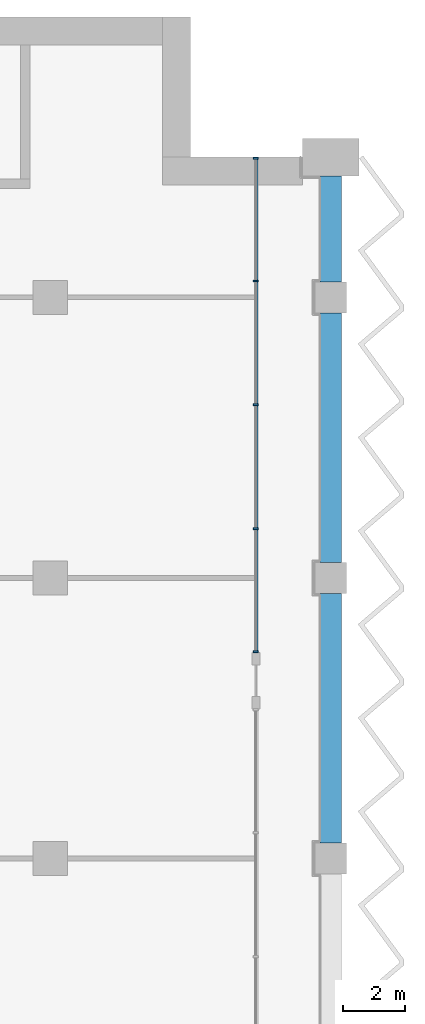
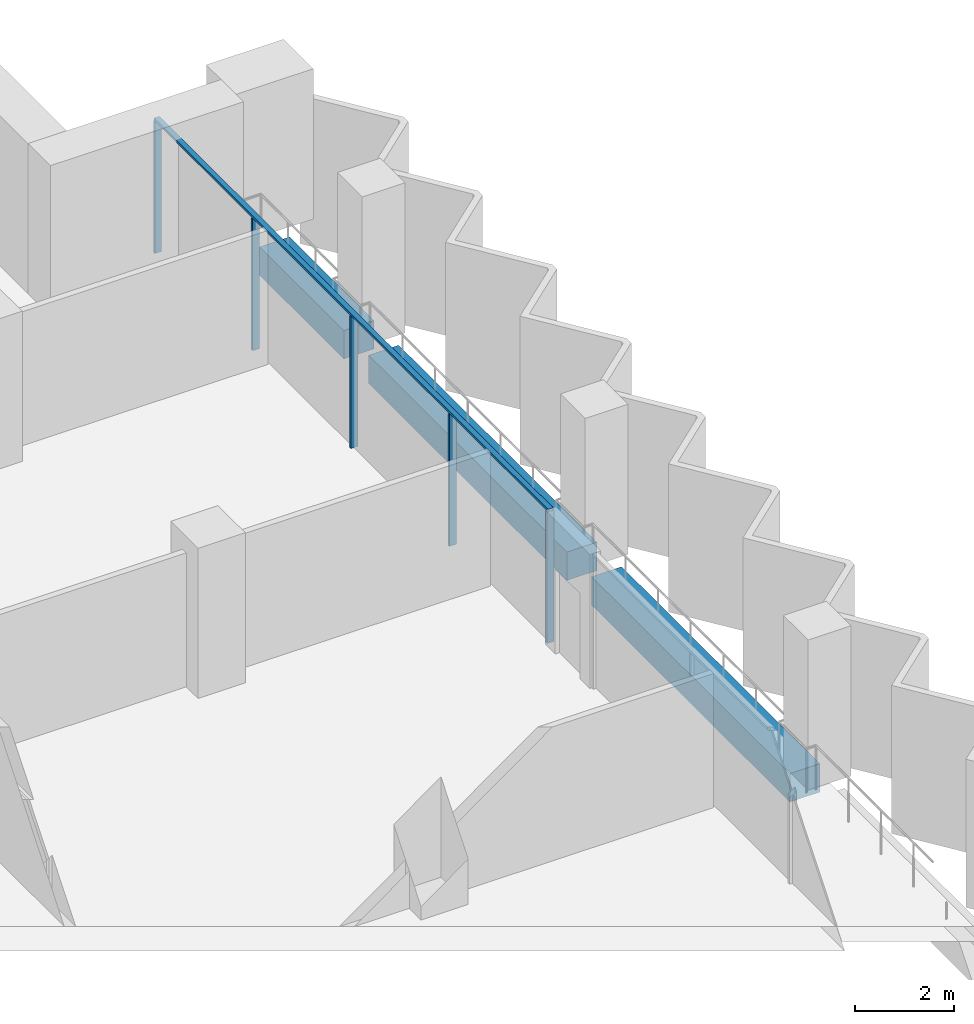
# One storey, part 5 of 17: 6 members, 3 beams, 1 element without a shape of its own.
"""IFC4 building model written with IfcOpenShell, lengths in metres."""

from ifc_helpers import new_model, si_unit, direction, frame, origin, origin_2d, place, context, subcontext, project, spatial, rectangle, extrude, material, material_profile, profile_set, type_object, element, aggregate, save


model = new_model("IFC4")

# Units and contexts
model_context = context("Model", 3, precision=1e-05, world=origin(), true_north=direction((0.0, 1.0)))
body_context = subcontext(model_context, "Body", "Model", "MODEL_VIEW")
ifc_project = project(units=[si_unit("LENGTHUNIT", "METRE"), si_unit("AREAUNIT", "SQUARE_METRE"), si_unit("VOLUMEUNIT", "CUBIC_METRE"), si_unit("PLANEANGLEUNIT", "RADIAN"), si_unit("MASSUNIT", "GRAM", prefix="KILO")], contexts=[model_context])

# Site, building, storey
site_placement = place(None, origin())
site = spatial("IfcSite", under=ifc_project, at=site_placement, CompositionType="ELEMENT")
building_placement = place(site_placement, origin())
building = spatial("IfcBuilding", under=site, at=building_placement, Name="Hunhe Ridgeline Campus", CompositionType="ELEMENT")
storey_placement = place(building_placement, frame((0.0, 0.0, 205.0)))
storey = spatial("IfcBuildingStorey", under=building, at=storey_placement, Name="L52", CompositionType="ELEMENT", Elevation=205.0)

# Curtain wall, members
ifc_material_1 = material(Name="Aluminium 6063", Category="aluminium")
curtain_wall_type = type_object("IfcCurtainWallType", Name="Curtain wall CW-1", PredefinedType="NOTDEFINED", material=ifc_material_1)
curtain_wall_placement = place(storey_placement, origin())
curtain_wall = element("IfcCurtainWall", 1, at=curtain_wall_placement, inside=storey, type_object=curtain_wall_type, Name="Curtain wall 14", PredefinedType="NOTDEFINED")
ifc_material_profile_1 = material_profile(ifc_material_1, rectangle(XDim=0.159912109375, YDim=0.06005859375, at=origin_2d()))
ifc_profile_set_1 = profile_set([ifc_material_profile_1], Name="Aluminium 6063")
member_type_1 = type_object("IfcMemberType", Name="CW-1 aluminium mullion", PredefinedType="MULLION", material=ifc_profile_set_1)
member_1_placement = place(storey_placement, frame((51.59912109375, 78.630615234375, 0.0), z_axis=(0.0, 0.0, 1.0), x_axis=(-1.0, 0.0, 0.0)))
member_1 = element("IfcMember", 2, at=member_1_placement, type_object=member_type_1, Name="CW-1 mullion 1", PredefinedType="MULLION", context=body_context, shape_type="SweptSolid", body=[
    extrude(rectangle(XDim=0.159912109375, YDim=0.06005859375, at=origin_2d()), origin(), (0.0, 0.0, 1.0), 3.239990234375),
])
member_2_placement = place(storey_placement, frame((51.59912109375, 82.575439453125, 0.0), z_axis=(0.0, 0.0, 1.0), x_axis=(-1.0, 0.0, 0.0)))
member_2 = element("IfcMember", 3, at=member_2_placement, type_object=member_type_1, Name="CW-1 mullion 2", PredefinedType="MULLION", context=body_context, shape_type="SweptSolid", body=[
    extrude(rectangle(XDim=0.159912109375, YDim=0.06005859375, at=origin_2d()), origin(), (0.0, 0.0, 1.0), 3.239990234375),
])
member_3_placement = place(storey_placement, frame((51.59912109375, 86.55029296875, 0.0), z_axis=(0.0, 0.0, 1.0), x_axis=(-1.0, 0.0, 0.0)))
member_3 = element("IfcMember", 4, at=member_3_placement, type_object=member_type_1, Name="CW-1 mullion 3", PredefinedType="MULLION", context=body_context, shape_type="SweptSolid", body=[
    extrude(rectangle(XDim=0.159912109375, YDim=0.06005859375, at=origin_2d()), origin(), (0.0, 0.0, 1.0), 3.239990234375),
])
member_4_placement = place(storey_placement, frame((51.59912109375, 90.525146484375, 0.0), z_axis=(0.0, 0.0, 1.0), x_axis=(-1.0, 0.0, 0.0)))
member_4 = element("IfcMember", 5, at=member_4_placement, type_object=member_type_1, Name="CW-1 mullion 4", PredefinedType="MULLION", context=body_context, shape_type="SweptSolid", body=[
    extrude(rectangle(XDim=0.159912109375, YDim=0.06005859375, at=origin_2d()), origin(), (0.0, 0.0, 1.0), 3.239990234375),
])
member_5_placement = place(storey_placement, frame((51.59912109375, 94.469970703125, 0.0), z_axis=(0.0, 0.0, 1.0), x_axis=(-1.0, 0.0, 0.0)))
member_5 = element("IfcMember", 6, at=member_5_placement, type_object=member_type_1, Name="CW-1 mullion 5", PredefinedType="MULLION", context=body_context, shape_type="SweptSolid", body=[
    extrude(rectangle(XDim=0.159912109375, YDim=0.06005859375, at=origin_2d()), origin(), (0.0, 0.0, 1.0), 3.239990234375),
])
ifc_material_profile_2 = material_profile(ifc_material_1, rectangle(XDim=0.1201171875, YDim=0.06005859375, at=origin_2d()))
ifc_profile_set_2 = profile_set([ifc_material_profile_2], Name="Aluminium 6063")
member_type_2 = type_object("IfcMemberType", Name="CW-1 aluminium transom", PredefinedType="USERDEFINED", material=ifc_profile_set_2)
member_6_placement = place(storey_placement, frame((51.59912109375, 78.6005859375, 3.27001953125), z_axis=(0.0, 1.0, 0.0), x_axis=(-1.0, 0.0, 0.0)))
member_6 = element("IfcMember", 7, at=member_6_placement, type_object=member_type_2, Name="CW-1 transom 1", ObjectType="TRANSOM", PredefinedType="USERDEFINED", context=body_context, shape_type="SweptSolid", body=[
    extrude(rectangle(XDim=0.1201171875, YDim=0.06005859375, at=origin_2d()), origin(), (0.0, 0.0, 1.0), 15.8994140625),
])
aggregate(curtain_wall, [member_6, member_1, member_2, member_3, member_4, member_5])

# Beams
ifc_material_2 = material(Name="Concrete C50", Category="concrete")
ifc_material_profile_3 = material_profile(ifc_material_2, rectangle(XDim=0.699951171875, YDim=0.699951171875, at=origin_2d()))
ifc_profile_set_3 = profile_set([ifc_material_profile_3], Name="Concrete C50")
beam_type = type_object("IfcBeamType", Name="RC spandrel beam 700x700 Concrete C50", PredefinedType="SPANDREL", material=ifc_profile_set_3)
for number, where, z_axis, x_axis, name in (
    (8, (54.0, 72.5, -0.60009765625), (0.0, 1.0, 0.0), (-1.0, 0.0, 0.0), "Spandrel beam B3-16 L52"),
    (9, (54.0, 81.5, -0.60009765625), (0.0, 1.0, 0.0), (-1.0, 0.0, 0.0), "Spandrel beam B3-17 L52"),
):
    element("IfcBeam", number, at=place(storey_placement, frame(where, z_axis=z_axis, x_axis=x_axis)), inside=storey, type_object=beam_type, Name=name, PredefinedType="SPANDREL", context=body_context, shape_type="SweptSolid", body=[
        extrude(rectangle(XDim=0.699951171875, YDim=0.699951171875, at=origin_2d()), origin(), (0.0, 0.0, 1.0), 8.0),
    ])
beam_placement = place(storey_placement, frame((54.0, 90.5, -0.60009765625), z_axis=(0.0, 1.0, 0.0), x_axis=(-1.0, 0.0, 0.0)))
element("IfcBeam", 10, at=beam_placement, inside=storey, type_object=beam_type, Name="Spandrel beam B3-18 L52", PredefinedType="SPANDREL", context=body_context, shape_type="SweptSolid", body=[
    extrude(rectangle(XDim=0.699951171875, YDim=0.699951171875, at=origin_2d()), origin(), (0.0, 0.0, 1.0), 3.39990234375),
])

save(model, "model.ifc")
